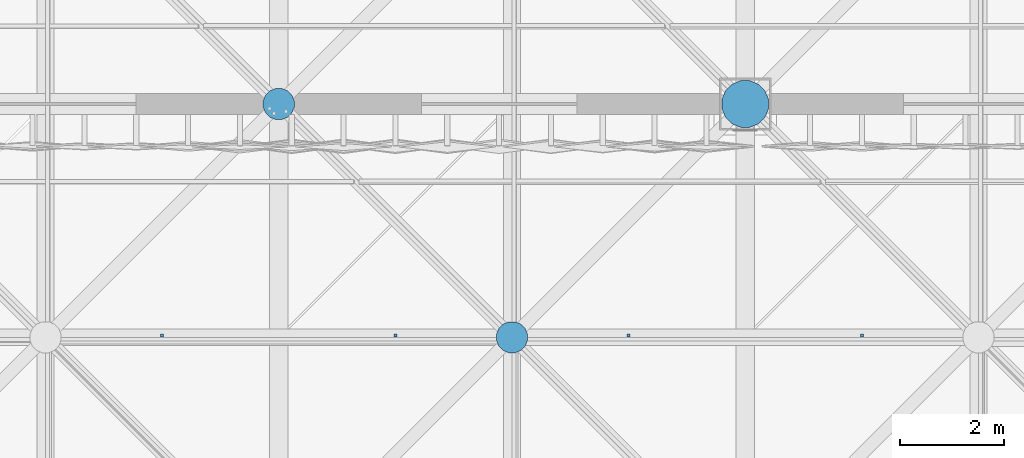
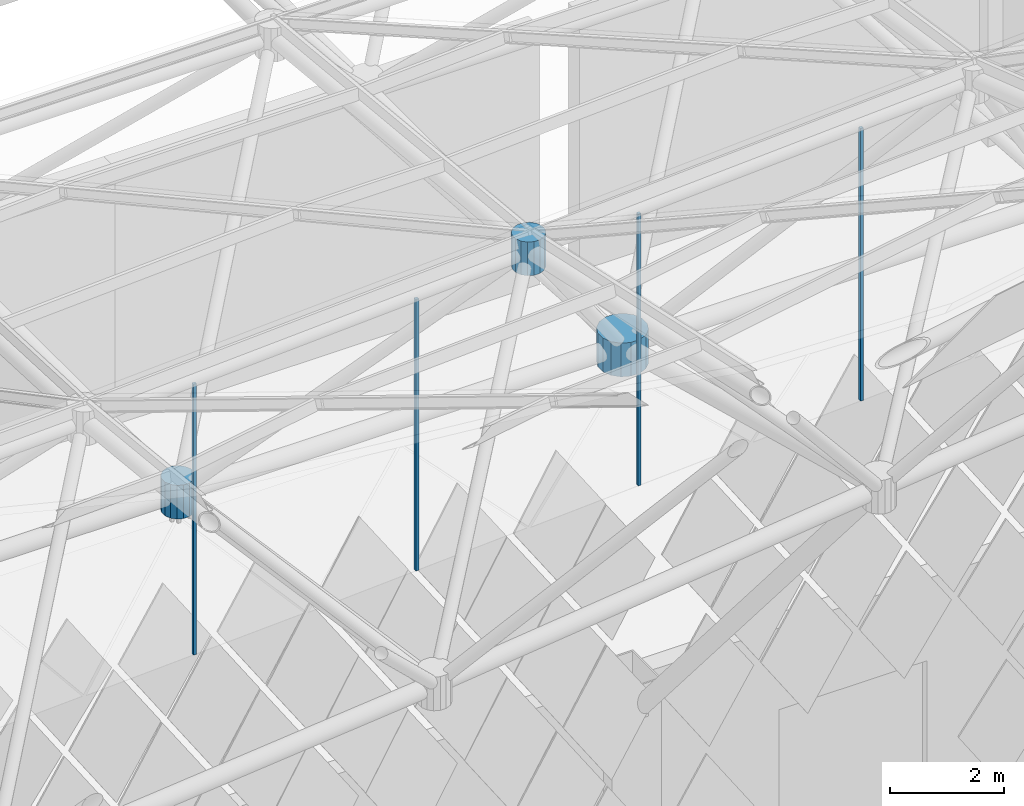
# One storey, part 306 of 437: 7 discrete accessories.
"""IFC4 building model written with IfcOpenShell, lengths in metres."""

from ifc_helpers import new_model, si_unit, direction, frame, origin, place, context, subcontext, project, spatial, polyline, outline, extrude, material, type_object, element, save


model = new_model("IFC4")

# Units and contexts
model_context = context("Model", 3, precision=1e-05, world=origin(), true_north=direction((0.0, 1.0)))
body_context = subcontext(model_context, "Body", "Model", "MODEL_VIEW")
ifc_project = project(units=[si_unit("LENGTHUNIT", "METRE"), si_unit("AREAUNIT", "SQUARE_METRE"), si_unit("VOLUMEUNIT", "CUBIC_METRE"), si_unit("PLANEANGLEUNIT", "RADIAN"), si_unit("MASSUNIT", "GRAM", prefix="KILO")], contexts=[model_context])

# Site, building, storey
site_placement = place(None, origin())
site = spatial("IfcSite", under=ifc_project, at=site_placement, CompositionType="ELEMENT")
building_placement = place(site_placement, origin())
building = spatial("IfcBuilding", under=site, at=building_placement, Name="Opaline Strait Convention Centre", CompositionType="ELEMENT")
storey_placement = place(building_placement, frame((0.0, 0.0, 11.5)))
storey = spatial("IfcBuildingStorey", under=building, at=storey_placement, Name="L02", CompositionType="ELEMENT", Elevation=11.5)

# Discrete accessories
ifc_material_1 = material(Name="Steel Q355B", Category="steel")
discrete_accessory_type_1 = type_object("IfcDiscreteAccessoryType", Name="Soffit hanger 60x60 steel", PredefinedType="BRACKET", material=ifc_material_1)
discrete_accessory_1_placement = place(storey_placement, frame((0.0, 0.0, 12.537109375)))
element("IfcDiscreteAccessory", 1, at=discrete_accessory_1_placement, inside=storey, type_object=discrete_accessory_type_1, Name="Soffit hanger", PredefinedType="BRACKET", context=body_context, shape_type="SweptSolid", body=[
    extrude(outline(polyline([(231.719970703125, 49.5048828125), (231.780029296875, 49.5048828125), (231.780029296875, 49.56494140625), (231.719970703125, 49.56494140625), (231.719970703125, 49.5048828125)])), origin(), (0.0, 0.0, 1.0), 5.795654296875),
])
discrete_accessory_2_placement = place(storey_placement, frame((0.0, 0.0, 12.7626953125)))
element("IfcDiscreteAccessory", 2, at=discrete_accessory_2_placement, inside=storey, type_object=discrete_accessory_type_1, Name="Soffit hanger", PredefinedType="BRACKET", context=body_context, shape_type="SweptSolid", body=[
    extrude(outline(polyline([(236.219970703125, 49.5048828125), (236.280029296875, 49.5048828125), (236.280029296875, 49.56494140625), (236.219970703125, 49.56494140625), (236.219970703125, 49.5048828125)])), origin(), (0.0, 0.0, 1.0), 5.814208984375),
])
discrete_accessory_3_placement = place(storey_placement, frame((0.0, 0.0, 13.0087890625)))
element("IfcDiscreteAccessory", 3, at=discrete_accessory_3_placement, inside=storey, type_object=discrete_accessory_type_1, Name="Soffit hanger", PredefinedType="BRACKET", context=body_context, shape_type="SweptSolid", body=[
    extrude(outline(polyline([(240.719970703125, 49.5048828125), (240.780029296875, 49.5048828125), (240.780029296875, 49.56494140625), (240.719970703125, 49.56494140625), (240.719970703125, 49.5048828125)])), origin(), (0.0, 0.0, 1.0), 5.81787109375),
])
discrete_accessory_4_placement = place(storey_placement, frame((0.0, 0.0, 13.247802734375)))
element("IfcDiscreteAccessory", 4, at=discrete_accessory_4_placement, inside=storey, type_object=discrete_accessory_type_1, Name="Soffit hanger", PredefinedType="BRACKET", context=body_context, shape_type="SweptSolid", body=[
    extrude(outline(polyline([(245.219970703125, 49.5048828125), (245.280029296875, 49.5048828125), (245.280029296875, 49.56494140625), (245.219970703125, 49.56494140625), (245.219970703125, 49.5048828125)])), origin(), (0.0, 0.0, 1.0), 5.834716796875),
])
ifc_material_2 = material(Name="Cast steel ZG300-500H (300 MPa)", Category="steel")
discrete_accessory_type_2 = type_object("IfcDiscreteAccessoryType", Name="Space frame bearing node hub D900", PredefinedType="USERDEFINED", material=ifc_material_2)
discrete_accessory_5_placement = place(storey_placement, frame((0.0, 0.0, 12.139892578125)))
element("IfcDiscreteAccessory", 5, at=discrete_accessory_5_placement, inside=storey, type_object=discrete_accessory_type_2, Name="Bottom node 18/2", ObjectType="NODE HUB", PredefinedType="USERDEFINED", context=body_context, shape_type="SweptSolid", body=[
    extrude(outline(polyline([(243.449951171875, 54.089599609375), (243.381591796875, 54.2548828125), (243.2548828125, 54.381591796875), (243.089599609375, 54.449951171875), (242.910400390625, 54.449951171875), (242.7451171875, 54.381591796875), (242.618408203125, 54.2548828125), (242.550048828125, 54.089599609375), (242.550048828125, 53.910400390625), (242.618408203125, 53.7451171875), (242.7451171875, 53.618408203125), (242.910400390625, 53.550048828125), (243.089599609375, 53.550048828125), (243.2548828125, 53.618408203125), (243.381591796875, 53.7451171875), (243.449951171875, 53.910400390625), (243.449951171875, 54.089599609375)])), origin(), (0.0, 0.0, 1.0), 0.72021484375),
])
discrete_accessory_type_3 = type_object("IfcDiscreteAccessoryType", Name="Space frame node hub D600", PredefinedType="USERDEFINED", material=ifc_material_2)
discrete_accessory_6_placement = place(storey_placement, frame((0.0, 0.0, 18.501220703125)))
element("IfcDiscreteAccessory", 6, at=discrete_accessory_6_placement, inside=storey, type_object=discrete_accessory_type_3, Name="Top node 18/2", ObjectType="NODE HUB", PredefinedType="USERDEFINED", context=body_context, shape_type="SweptSolid", body=[
    extrude(outline(polyline([(238.800048828125, 49.559814453125), (238.75439453125, 49.669921875), (238.669921875, 49.75439453125), (238.559814453125, 49.800048828125), (238.440185546875, 49.800048828125), (238.330078125, 49.75439453125), (238.24560546875, 49.669921875), (238.199951171875, 49.559814453125), (238.199951171875, 49.440185546875), (238.24560546875, 49.330078125), (238.330078125, 49.24560546875), (238.440185546875, 49.199951171875), (238.559814453125, 49.199951171875), (238.669921875, 49.24560546875), (238.75439453125, 49.330078125), (238.800048828125, 49.440185546875), (238.800048828125, 49.559814453125)])), origin(), (0.0, 0.0, 1.0), 0.719970703125),
])
discrete_accessory_7_placement = place(storey_placement, frame((0.0, 0.0, 12.139892578125)))
element("IfcDiscreteAccessory", 7, at=discrete_accessory_7_placement, inside=storey, type_object=discrete_accessory_type_3, Name="Bottom node 17/2", ObjectType="NODE HUB", PredefinedType="USERDEFINED", context=body_context, shape_type="SweptSolid", body=[
    extrude(outline(polyline([(234.300048828125, 54.059814453125), (234.25439453125, 54.169921875), (234.169921875, 54.25439453125), (234.059814453125, 54.300048828125), (233.940185546875, 54.300048828125), (233.830078125, 54.25439453125), (233.74560546875, 54.169921875), (233.699951171875, 54.059814453125), (233.699951171875, 53.940185546875), (233.74560546875, 53.830078125), (233.830078125, 53.74560546875), (233.940185546875, 53.699951171875), (234.059814453125, 53.699951171875), (234.169921875, 53.74560546875), (234.25439453125, 53.830078125), (234.300048828125, 53.940185546875), (234.300048828125, 54.059814453125)])), origin(), (0.0, 0.0, 1.0), 0.72021484375),
])

save(model, "model.ifc")
